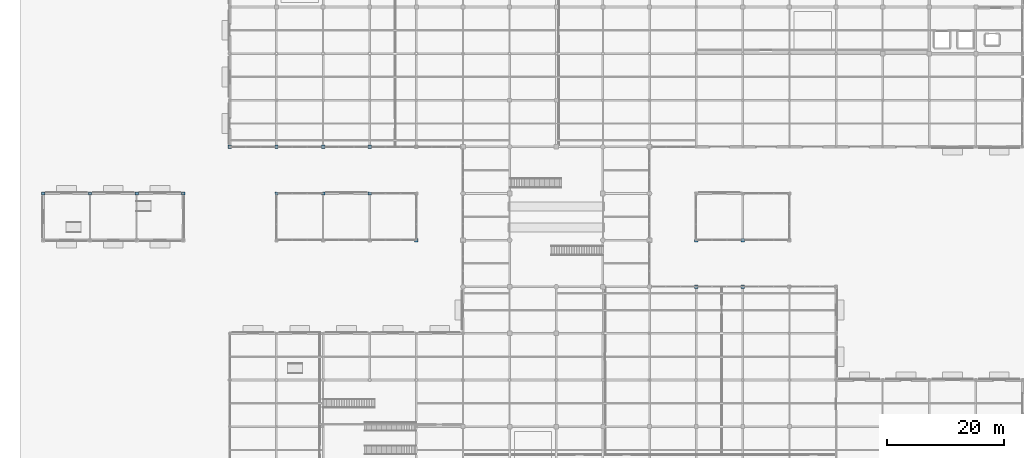
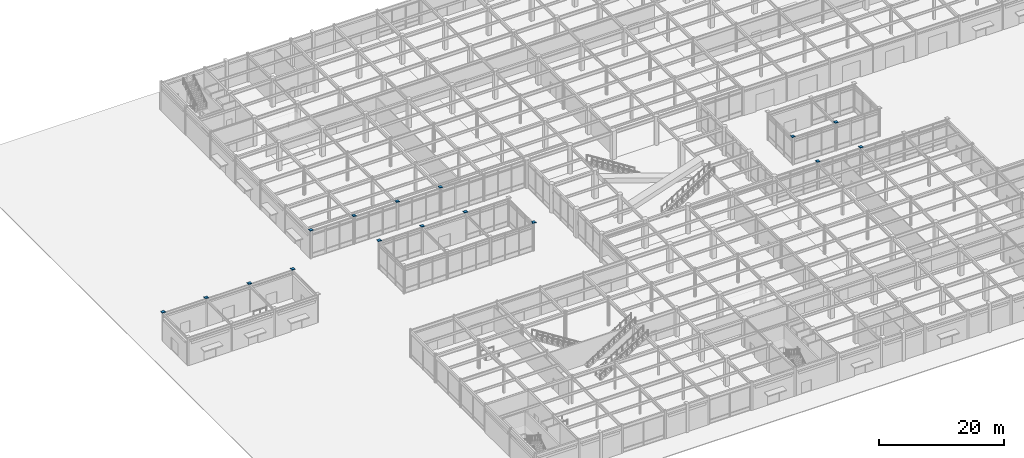
# One storey, part 113 of 128: 16 discrete accessories.
"""IFC4 building model written with IfcOpenShell, lengths in metres."""

from ifc_helpers import new_model, si_unit, direction, frame, origin, origin_2d, place, context, subcontext, project, spatial, rectangle, extrude, material, layer, layer_set, type_object, element, save


model = new_model("IFC4")

# Units and contexts
model_context = context("Model", 3, precision=1e-05, world=origin(), true_north=direction((0.0, 1.0)))
body_context = subcontext(model_context, "Body", "Model", "MODEL_VIEW")
ifc_project = project(units=[si_unit("LENGTHUNIT", "METRE"), si_unit("AREAUNIT", "SQUARE_METRE"), si_unit("VOLUMEUNIT", "CUBIC_METRE"), si_unit("PLANEANGLEUNIT", "RADIAN"), si_unit("MASSUNIT", "GRAM", prefix="KILO")], contexts=[model_context])

# Site, building, storey
site_placement = place(None, origin())
site = spatial("IfcSite", under=ifc_project, at=site_placement, CompositionType="ELEMENT")
building_placement = place(site_placement, origin())
building = spatial("IfcBuilding", under=site, at=building_placement, Name="Solmirada Galleria", CompositionType="ELEMENT")
storey_placement = place(building_placement, origin())
storey = spatial("IfcBuildingStorey", under=building, at=storey_placement, Name="L00", CompositionType="ELEMENT", Elevation=0.0)

# Discrete accessories
ifc_material = material(Name="Steel S355 / ASTM A572 Grade 50", Category="steel")
ifc_layer = layer(ifc_material, 0.031982421875)
ifc_layer_set = layer_set([ifc_layer], Name="Steel S355 / ASTM A572 Grade 50")
discrete_accessory_type = type_object("IfcDiscreteAccessoryType", Name="ACC-COL-CAP", PredefinedType="BRACKET", material=ifc_layer_set)
for number, where, z_axis, x_axis, name in (
    (1, (8.0, 64.0, 5.59423828125), (0.0, 0.0, 1.0), (1.0, 0.0, 0.0), "Hollow column cap plate L00-0004"),
    (2, (16.0, 64.0, 5.59423828125), (0.0, 0.0, 1.0), (1.0, 0.0, 0.0), "Hollow column cap plate L00-0008"),
    (3, (24.0, 64.0, 5.59423828125), (0.0, 0.0, 1.0), (1.0, 0.0, 0.0), "Hollow column cap plate L00-0012"),
    (4, (32.0, 64.0, 5.59423828125), (0.0, 0.0, 1.0), (1.0, 0.0, 0.0), "Hollow column cap plate L00-0016"),
    (5, (40.0, 72.0, 5.59423828125), (0.0, 0.0, 1.0), (1.0, 0.0, 0.0), "Hollow column cap plate L00-0040"),
    (6, (48.0, 64.0, 5.59423828125), (0.0, 0.0, 1.0), (1.0, 0.0, 0.0), "Hollow column cap plate L00-0105"),
    (7, (48.0, 72.0, 5.59423828125), (0.0, 0.0, 1.0), (1.0, 0.0, 0.0), "Hollow column cap plate L00-0107"),
    (8, (56.0, 64.0, 5.59423828125), (0.0, 0.0, 1.0), (1.0, 0.0, 0.0), "Hollow column cap plate L00-0172"),
    (9, (56.0, 72.0, 5.59423828125), (0.0, 0.0, 1.0), (1.0, 0.0, 0.0), "Hollow column cap plate L00-0174"),
    (10, (64.0, 64.0, 5.59423828125), (0.0, 0.0, 1.0), (1.0, 0.0, 0.0), "Hollow column cap plate L00-0236"),
    (11, (64.0, 72.0, 5.59423828125), (0.0, 0.0, 1.0), (1.0, 0.0, 0.0), "Hollow column cap plate L00-0238"),
    (12, (72.0, 56.0, 5.59423828125), (0.0, 0.0, 1.0), (1.0, 0.0, 0.0), "Hollow column cap plate L00-0301"),
    (13, (120.0, 48.0, 5.59423828125), (0.0, 0.0, 1.0), (1.0, 0.0, 0.0), "Hollow column cap plate L00-0963"),
    (14, (120.0, 56.0, 5.59423828125), (0.0, 0.0, 1.0), (1.0, 0.0, 0.0), "Hollow column cap plate L00-0965"),
    (15, (128.0, 48.0, 5.59423828125), (0.0, 0.0, 1.0), (1.0, 0.0, 0.0), "Hollow column cap plate L00-1046"),
    (16, (128.0, 56.0, 5.59423828125), (0.0, 0.0, 1.0), (1.0, 0.0, 0.0), "Hollow column cap plate L00-1048"),
):
    element("IfcDiscreteAccessory", number, at=place(storey_placement, frame(where, z_axis=z_axis, x_axis=x_axis)), inside=storey, type_object=discrete_accessory_type, Name=name, PredefinedType="BRACKET", context=body_context, shape_type="SweptSolid", body=[
        extrude(rectangle(XDim=0.580078125, YDim=0.580078125, at=origin_2d()), origin(), (0.0, 0.0, 1.0), 0.035888671875),
    ])

save(model, "model.ifc")
